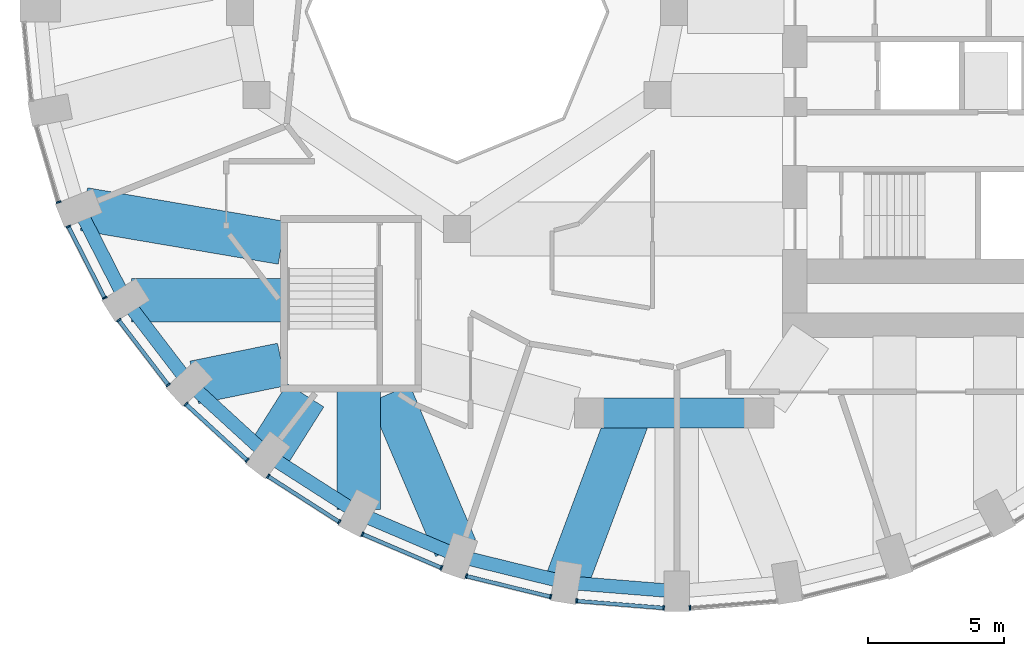
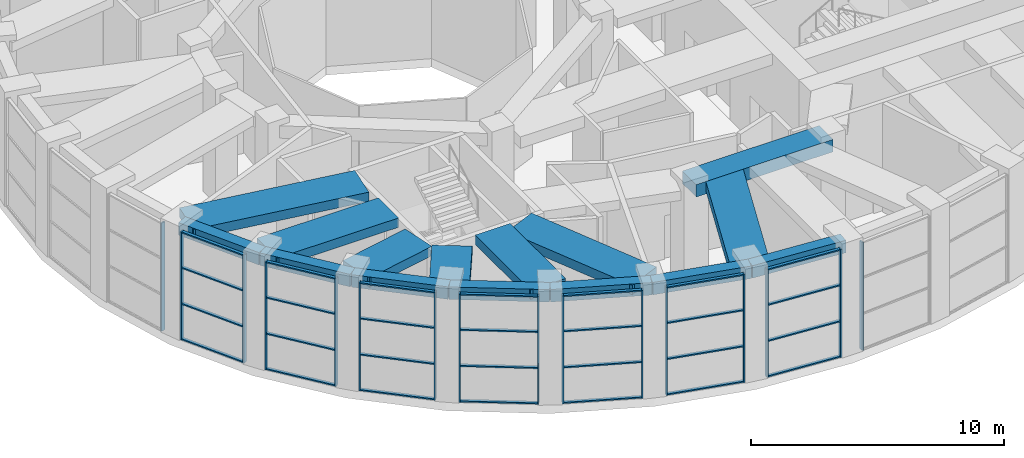
# One storey, part 2 of 17: 44 members, 15 beams, 9 elements without a shape of their own.
"""IFC4 building model written with IfcOpenShell, lengths in metres."""

from ifc_helpers import new_model, si_unit, direction, frame, origin, origin_2d, place, context, subcontext, project, spatial, rectangle, extrude, material, material_profile, profile_set, type_object, element, aggregate, save


model = new_model("IFC4")

# Units and contexts
model_context = context("Model", 3, precision=1e-05, world=origin(), true_north=direction((0.0, 1.0)))
body_context = subcontext(model_context, "Body", "Model", "MODEL_VIEW")
ifc_project = project(units=[si_unit("LENGTHUNIT", "METRE"), si_unit("AREAUNIT", "SQUARE_METRE"), si_unit("VOLUMEUNIT", "CUBIC_METRE"), si_unit("PLANEANGLEUNIT", "RADIAN"), si_unit("MASSUNIT", "GRAM", prefix="KILO")], contexts=[model_context])

# Site, building, storey
site_placement = place(None, origin())
site = spatial("IfcSite", under=ifc_project, at=site_placement, CompositionType="ELEMENT")
building_placement = place(site_placement, origin())
building = spatial("IfcBuilding", under=site, at=building_placement, Name="Taillehof Tower", CompositionType="ELEMENT")
storey_placement = place(building_placement, frame((0.0, 0.0, 139.60009765625)))
storey = spatial("IfcBuildingStorey", under=building, at=storey_placement, Name="L39", CompositionType="ELEMENT", Elevation=139.60009765625)

# Beams
ifc_material_1 = material(Name="Concrete C50/60", Category="concrete")
ifc_material_profile_1 = material_profile(ifc_material_1, rectangle(XDim=1.10009765625, YDim=0.60009765625, at=origin_2d()), Name="RC 1100x600")
ifc_profile_set_1 = profile_set([ifc_material_profile_1], Name="Concrete C50/60")
beam_type_1 = type_object("IfcBeamType", Name="Mid-ring beam C50/60 1100x600", PredefinedType="BEAM", material=ifc_profile_set_1)
beam_1_placement = place(storey_placement, frame((-3.125732421875, -14.772216796875, 4.919921875), z_axis=(1.0, 0.0, 0.0), x_axis=(0.0, 1.0, 0.0)))
element("IfcBeam", 1, at=beam_1_placement, inside=storey, type_object=beam_type_1, Name="Mid-ring beam MB02", PredefinedType="BEAM", context=body_context, shape_type="SweptSolid", body=[
    extrude(rectangle(XDim=1.10009765625, YDim=0.60009765625, at=origin_2d()), origin(), (0.0, 0.0, 1.0), 6.25146484375),
])
ifc_material_2 = material(Name="Concrete C50/60", Category="concrete")
ifc_material_profile_2 = material_profile(ifc_material_2, rectangle(XDim=1.60009765625, YDim=0.449951171875, at=origin_2d()), Name="RC 1600x450")
ifc_profile_set_2 = profile_set([ifc_material_profile_2], Name="Concrete C50/60")
beam_type_2 = type_object("IfcBeamType", Name="Radial band beam C50/60 1600x450", PredefinedType="BEAM", material=ifc_profile_set_2)
beam_2_placement = place(storey_placement, frame((-21.744140625, -7.268798828125, 4.994873046875), z_axis=(0.985864460395, -0.167544817079, 0.0), x_axis=(0.167544817079, 0.985864460395, 0.0)))
element("IfcBeam", 2, at=beam_2_placement, inside=storey, type_object=beam_type_2, Name="Radial band beam RB21", PredefinedType="BEAM", context=body_context, shape_type="SweptSolid", body=[
    extrude(rectangle(XDim=1.60009765625, YDim=0.449951171875, at=origin_2d()), origin(), (0.0, 0.0, 1.0), 7.39794921875),
])
beam_3_placement = place(storey_placement, frame((-19.9990234375, -10.625, 4.994873046875), z_axis=(1.0, 0.0, 0.0), x_axis=(0.0, 1.0, 0.0)))
element("IfcBeam", 3, at=beam_3_placement, inside=storey, type_object=beam_type_2, Name="Radial band beam RB22", PredefinedType="BEAM", context=body_context, shape_type="SweptSolid", body=[
    extrude(rectangle(XDim=1.60009765625, YDim=0.449951171875, at=origin_2d()), origin(), (0.0, 0.0, 1.0), 5.549072265625),
])
beam_4_placement = place(storey_placement, frame((-17.678955078125, -13.64990234375, 4.994873046875), z_axis=(0.979736748385, 0.200289550059, 0.0), x_axis=(-0.200289550059, 0.979736748385, 0.0)))
element("IfcBeam", 4, at=beam_4_placement, inside=storey, type_object=beam_type_2, Name="Radial band beam RB23", PredefinedType="BEAM", context=body_context, shape_type="SweptSolid", body=[
    extrude(rectangle(XDim=1.60009765625, YDim=0.449951171875, at=origin_2d()), origin(), (0.0, 0.0, 1.0), 3.294677734375),
])
beam_5_placement = place(storey_placement, frame((-14.973388671875, -16.33154296875, 4.994873046875), z_axis=(0.534207803896, 0.845353193794, 0.0), x_axis=(-0.845353193794, 0.534207803896, 0.0)))
element("IfcBeam", 5, at=beam_5_placement, inside=storey, type_object=beam_type_2, Name="Radial band beam RB24", PredefinedType="BEAM", context=body_context, shape_type="SweptSolid", body=[
    extrude(rectangle(XDim=1.60009765625, YDim=0.449951171875, at=origin_2d()), origin(), (0.0, 0.0, 1.0), 2.608154296875),
])
beam_6_placement = place(storey_placement, frame((-11.625, -18.33642578125, 4.994873046875), z_axis=(0.0, 1.0, 0.0), x_axis=(-1.0, 0.0, 0.0)))
element("IfcBeam", 6, at=beam_6_placement, inside=storey, type_object=beam_type_2, Name="Radial band beam RB25", PredefinedType="BEAM", context=body_context, shape_type="SweptSolid", body=[
    extrude(rectangle(XDim=1.60009765625, YDim=0.449951171875, at=origin_2d()), origin(), (0.0, 0.0, 1.0), 4.386474609375),
])
beam_7_placement = place(storey_placement, frame((-8.049072265625, -19.75390625, 4.994873046875), z_axis=(-0.391879389257, 0.9200166, 0.0), x_axis=(-0.9200166, -0.391879389257, 0.0)))
element("IfcBeam", 7, at=beam_7_placement, inside=storey, type_object=beam_type_2, Name="Radial band beam RB26", PredefinedType="BEAM", context=body_context, shape_type="SweptSolid", body=[
    extrude(rectangle(XDim=1.60009765625, YDim=0.449951171875, at=origin_2d()), origin(), (0.0, 0.0, 1.0), 6.18505859375),
])
beam_8_placement = place(storey_placement, frame((-3.97216796875, -21.024169921875, 4.994873046875), z_axis=(0.351379850477, 0.936232984186, 0.0), x_axis=(-0.936232984186, 0.351379850477, 0.0)))
element("IfcBeam", 8, at=beam_8_placement, inside=storey, type_object=beam_type_2, Name="Radial band beam RB27", PredefinedType="BEAM", context=body_context, shape_type="SweptSolid", body=[
    extrude(rectangle(XDim=1.60009765625, YDim=0.449951171875, at=origin_2d()), origin(), (0.0, 0.0, 1.0), 6.677734375),
])

# Curtain wall, member
ifc_material_3 = material(Name="Aluminium curtain wall with Clear low-emissivity double glazing", Category="aluminium")
curtain_wall_type = type_object("IfcCurtainWallType", Name="Sky lobby curtain wall", PredefinedType="USERDEFINED", material=ifc_material_3)
curtain_wall_1_placement = place(storey_placement, origin())
curtain_wall_1 = element("IfcCurtainWall", 9, at=curtain_wall_1_placement, inside=storey, type_object=curtain_wall_type, Name="Sky lobby L39 bay 20", ObjectType="WINDOW WALL", PredefinedType="USERDEFINED")
ifc_material_4 = material(Name="Aluminium mullion", Category="aluminium")
ifc_material_profile_3 = material_profile(ifc_material_4, rectangle(XDim=0.179931640625, YDim=0.06005859375, at=origin_2d()), Name="AL 60x180")
ifc_profile_set_3 = profile_set([ifc_material_profile_3], Name="Aluminium mullion")
member_type_1 = type_object("IfcMemberType", Name="Sky lobby mullion 60x180", PredefinedType="MULLION", material=ifc_profile_set_3)
member_1_placement = place(storey_placement, frame((-22.676513671875, -7.008544921875, 0.0), z_axis=(0.0, 0.0, 1.0), x_axis=(0.959684454665, 0.281079610563, 0.0)))
member_1 = element("IfcMember", 10, at=member_1_placement, type_object=member_type_1, Name="CT3C20 mullion 2", PredefinedType="MULLION", context=body_context, shape_type="SweptSolid", body=[
    extrude(rectangle(XDim=0.179931640625, YDim=0.06005859375, at=origin_2d()), origin(), (0.0, 0.0, 1.0), 5.219970703125),
])
aggregate(curtain_wall_1, [member_1])

# Curtain wall, members
curtain_wall_2_placement = place(storey_placement, origin())
curtain_wall_2 = element("IfcCurtainWall", 11, at=curtain_wall_2_placement, inside=storey, type_object=curtain_wall_type, Name="Sky lobby L39 bay 21", ObjectType="WINDOW WALL", PredefinedType="USERDEFINED")
member_2_placement = place(storey_placement, frame((-22.318359375, -7.909912109375, 0.0), z_axis=(0.0, 0.0, 1.0), x_axis=(0.890939920431, 0.454121193276, 0.0)))
member_2 = element("IfcMember", 12, at=member_2_placement, type_object=member_type_1, Name="CT3C21 mullion 1", PredefinedType="MULLION", context=body_context, shape_type="SweptSolid", body=[
    extrude(rectangle(XDim=0.179931640625, YDim=0.06005859375, at=origin_2d()), origin(), (0.0, 0.0, 1.0), 5.219970703125),
])
member_3_placement = place(storey_placement, frame((-20.979248046875, -10.537109375, 0.0), z_axis=(0.0, 0.0, 1.0), x_axis=(0.890939920431, 0.454121193276, 0.0)))
member_3 = element("IfcMember", 13, at=member_3_placement, type_object=member_type_1, Name="CT3C21 mullion 2", PredefinedType="MULLION", context=body_context, shape_type="SweptSolid", body=[
    extrude(rectangle(XDim=0.179931640625, YDim=0.06005859375, at=origin_2d()), origin(), (0.0, 0.0, 1.0), 5.219970703125),
])

curtain_wall_3_placement = place(storey_placement, origin())
curtain_wall_3 = element("IfcCurtainWall", 14, at=curtain_wall_3_placement, inside=storey, type_object=curtain_wall_type, Name="Sky lobby L39 bay 22", ObjectType="WINDOW WALL", PredefinedType="USERDEFINED")
member_4_placement = place(storey_placement, frame((-20.462158203125, -11.357666015625, 0.0), z_axis=(0.0, 0.0, 1.0), x_axis=(0.794097111323, 0.607790899725, 0.0)))
member_4 = element("IfcMember", 15, at=member_4_placement, type_object=member_type_1, Name="CT3C22 mullion 1", PredefinedType="MULLION", context=body_context, shape_type="SweptSolid", body=[
    extrude(rectangle(XDim=0.179931640625, YDim=0.06005859375, at=origin_2d()), origin(), (0.0, 0.0, 1.0), 5.219970703125),
])
member_5_placement = place(storey_placement, frame((-18.638916015625, -13.73974609375, 0.0), z_axis=(0.0, 0.0, 1.0), x_axis=(0.794097111323, 0.607790899725, 0.0)))
member_5 = element("IfcMember", 16, at=member_5_placement, type_object=member_type_1, Name="CT3C22 mullion 2", PredefinedType="MULLION", context=body_context, shape_type="SweptSolid", body=[
    extrude(rectangle(XDim=0.179931640625, YDim=0.06005859375, at=origin_2d()), origin(), (0.0, 0.0, 1.0), 5.219970703125),
])

curtain_wall_4_placement = place(storey_placement, origin())
curtain_wall_4 = element("IfcCurtainWall", 17, at=curtain_wall_4_placement, inside=storey, type_object=curtain_wall_type, Name="Sky lobby L39 bay 23", ObjectType="WINDOW WALL", PredefinedType="USERDEFINED")
member_6_placement = place(storey_placement, frame((-17.98388671875, -14.454833984375, 0.0), z_axis=(0.0, 0.0, 1.0), x_axis=(0.674990165311, 0.737826725413, 0.0)))
member_6 = element("IfcMember", 18, at=member_6_placement, type_object=member_type_1, Name="CT3C23 mullion 1", PredefinedType="MULLION", context=body_context, shape_type="SweptSolid", body=[
    extrude(rectangle(XDim=0.179931640625, YDim=0.06005859375, at=origin_2d()), origin(), (0.0, 0.0, 1.0), 5.219970703125),
])
member_7_placement = place(storey_placement, frame((-15.728759765625, -16.517822265625, 0.0), z_axis=(0.0, 0.0, 1.0), x_axis=(0.674990165311, 0.737826725413, 0.0)))
member_7 = element("IfcMember", 19, at=member_7_placement, type_object=member_type_1, Name="CT3C23 mullion 2", PredefinedType="MULLION", context=body_context, shape_type="SweptSolid", body=[
    extrude(rectangle(XDim=0.179931640625, YDim=0.06005859375, at=origin_2d()), origin(), (0.0, 0.0, 1.0), 5.219970703125),
])

curtain_wall_5_placement = place(storey_placement, origin())
curtain_wall_5 = element("IfcCurtainWall", 20, at=curtain_wall_5_placement, inside=storey, type_object=curtain_wall_type, Name="Sky lobby L39 bay 24", ObjectType="WINDOW WALL", PredefinedType="USERDEFINED")
member_8_placement = place(storey_placement, frame((-14.959716796875, -17.10888671875, 0.0), z_axis=(0.0, 0.0, 1.0), x_axis=(0.539394467052, 0.842053210263, 0.0)))
member_8 = element("IfcMember", 21, at=member_8_placement, type_object=member_type_1, Name="CT3C24 mullion 1", PredefinedType="MULLION", context=body_context, shape_type="SweptSolid", body=[
    extrude(rectangle(XDim=0.179931640625, YDim=0.06005859375, at=origin_2d()), origin(), (0.0, 0.0, 1.0), 5.219970703125),
])
member_9_placement = place(storey_placement, frame((-12.3388671875, -18.787841796875, 0.0), z_axis=(0.0, 0.0, 1.0), x_axis=(0.539394467052, 0.842053210263, 0.0)))
member_9 = element("IfcMember", 22, at=member_9_placement, type_object=member_type_1, Name="CT3C24 mullion 2", PredefinedType="MULLION", context=body_context, shape_type="SweptSolid", body=[
    extrude(rectangle(XDim=0.179931640625, YDim=0.06005859375, at=origin_2d()), origin(), (0.0, 0.0, 1.0), 5.219970703125),
])

curtain_wall_6_placement = place(storey_placement, origin())
curtain_wall_6 = element("IfcCurtainWall", 23, at=curtain_wall_6_placement, inside=storey, type_object=curtain_wall_type, Name="Sky lobby L39 bay 25", ObjectType="WINDOW WALL", PredefinedType="USERDEFINED")
member_10_placement = place(storey_placement, frame((-11.4814453125, -19.2412109375, 0.0), z_axis=(0.0, 0.0, 1.0), x_axis=(0.392378786783, 0.919803722368, 0.0)))
member_10 = element("IfcMember", 24, at=member_10_placement, type_object=member_type_1, Name="CT3C25 mullion 1", PredefinedType="MULLION", context=body_context, shape_type="SweptSolid", body=[
    extrude(rectangle(XDim=0.179931640625, YDim=0.06005859375, at=origin_2d()), origin(), (0.0, 0.0, 1.0), 5.219970703125),
])
member_11_placement = place(storey_placement, frame((-8.57373046875, -20.481689453125, 0.0), z_axis=(0.0, 0.0, 1.0), x_axis=(0.392378786783, 0.919803722368, 0.0)))
member_11 = element("IfcMember", 25, at=member_11_placement, type_object=member_type_1, Name="CT3C25 mullion 2", PredefinedType="MULLION", context=body_context, shape_type="SweptSolid", body=[
    extrude(rectangle(XDim=0.179931640625, YDim=0.06005859375, at=origin_2d()), origin(), (0.0, 0.0, 1.0), 5.219970703125),
])

curtain_wall_7_placement = place(storey_placement, origin())
curtain_wall_7 = element("IfcCurtainWall", 26, at=curtain_wall_7_placement, inside=storey, type_object=curtain_wall_type, Name="Sky lobby L39 bay 26", ObjectType="WINDOW WALL", PredefinedType="USERDEFINED")
member_12_placement = place(storey_placement, frame((-7.653564453125, -20.78857421875, 0.0), z_axis=(0.0, 0.0, 1.0), x_axis=(0.238077279402, 0.971246214424, 0.0)))
member_12 = element("IfcMember", 27, at=member_12_placement, type_object=member_type_1, Name="CT3C26 mullion 1", PredefinedType="MULLION", context=body_context, shape_type="SweptSolid", body=[
    extrude(rectangle(XDim=0.179931640625, YDim=0.06005859375, at=origin_2d()), origin(), (0.0, 0.0, 1.0), 5.219970703125),
])
member_13_placement = place(storey_placement, frame((-4.54833984375, -21.549560546875, 0.0), z_axis=(0.0, 0.0, 1.0), x_axis=(0.238077279402, 0.971246214424, 0.0)))
member_13 = element("IfcMember", 28, at=member_13_placement, type_object=member_type_1, Name="CT3C26 mullion 2", PredefinedType="MULLION", context=body_context, shape_type="SweptSolid", body=[
    extrude(rectangle(XDim=0.179931640625, YDim=0.06005859375, at=origin_2d()), origin(), (0.0, 0.0, 1.0), 5.219970703125),
])

curtain_wall_8_placement = place(storey_placement, origin())
curtain_wall_8 = element("IfcCurtainWall", 29, at=curtain_wall_8_placement, inside=storey, type_object=curtain_wall_type, Name="Sky lobby L39 bay 27", ObjectType="WINDOW WALL", PredefinedType="USERDEFINED")
member_14_placement = place(storey_placement, frame((-3.5908203125, -21.704345703125, 0.0), z_axis=(0.0, 0.0, 1.0), x_axis=(0.079781193509, 0.996812400185, 0.0)))
member_14 = element("IfcMember", 30, at=member_14_placement, type_object=member_type_1, Name="CT3C27 mullion 1", PredefinedType="MULLION", context=body_context, shape_type="SweptSolid", body=[
    extrude(rectangle(XDim=0.179931640625, YDim=0.06005859375, at=origin_2d()), origin(), (0.0, 0.0, 1.0), 5.219970703125),
])
member_15_placement = place(storey_placement, frame((-0.385009765625, -21.9609375, 0.0), z_axis=(0.0, 0.0, 1.0), x_axis=(0.079781193509, 0.996812400185, 0.0)))
member_15 = element("IfcMember", 31, at=member_15_placement, type_object=member_type_1, Name="CT3C27 mullion 2", PredefinedType="MULLION", context=body_context, shape_type="SweptSolid", body=[
    extrude(rectangle(XDim=0.179931640625, YDim=0.06005859375, at=origin_2d()), origin(), (0.0, 0.0, 1.0), 5.219970703125),
])

# Curtain wall, member
curtain_wall_9_placement = place(storey_placement, origin())
curtain_wall_9 = element("IfcCurtainWall", 32, at=curtain_wall_9_placement, inside=storey, type_object=curtain_wall_type, Name="Sky lobby L39 bay 28", ObjectType="WINDOW WALL", PredefinedType="USERDEFINED")
member_16_placement = place(storey_placement, frame((0.5849609375, -21.9609375, 0.0), z_axis=(0.0, 0.0, 1.0), x_axis=(-0.079781193509, 0.996812400185, 0.0)))
member_16 = element("IfcMember", 33, at=member_16_placement, type_object=member_type_1, Name="CT3C28 mullion 1", PredefinedType="MULLION", context=body_context, shape_type="SweptSolid", body=[
    extrude(rectangle(XDim=0.179931640625, YDim=0.06005859375, at=origin_2d()), origin(), (0.0, 0.0, 1.0), 5.219970703125),
])
aggregate(curtain_wall_9, [member_16])

# Member
ifc_material_5 = material(Name="Aluminium transom", Category="aluminium")
ifc_material_profile_4 = material_profile(ifc_material_5, rectangle(XDim=0.139892578125, YDim=0.06005859375, at=origin_2d()), Name="AL 140x60")
ifc_profile_set_4 = profile_set([ifc_material_profile_4], Name="Aluminium transom")
member_type_2 = type_object("IfcMemberType", Name="Sky lobby transom 140x60", PredefinedType="USERDEFINED", material=ifc_profile_set_4)
member_17_placement = place(storey_placement, frame((-22.3046875, -7.9365234375, 0.02978515625), z_axis=(0.454062498764, -0.890969835189, 0.0), x_axis=(0.890969835189, 0.454062498764, 0.0)))
member_17 = element("IfcMember", 34, at=member_17_placement, type_object=member_type_2, Name="CT3C21 transom 1.1", ObjectType="TRANSOM", PredefinedType="USERDEFINED", context=body_context, shape_type="SweptSolid", body=[
    extrude(rectangle(XDim=0.139892578125, YDim=0.06005859375, at=origin_2d()), origin(), (0.0, 0.0, 1.0), 2.888916015625),
])

member_18_placement = place(storey_placement, frame((-22.3046875, -7.9365234375, 1.739990234375), z_axis=(0.454062498764, -0.890969835189, 0.0), x_axis=(0.890969835189, 0.454062498764, 0.0)))
member_18 = element("IfcMember", 35, at=member_18_placement, type_object=member_type_2, Name="CT3C21 transom 1.2", ObjectType="TRANSOM", PredefinedType="USERDEFINED", context=body_context, shape_type="SweptSolid", body=[
    extrude(rectangle(XDim=0.139892578125, YDim=0.06005859375, at=origin_2d()), origin(), (0.0, 0.0, 1.0), 2.888916015625),
])

member_19_placement = place(storey_placement, frame((-22.3046875, -7.9365234375, 3.47998046875), z_axis=(0.454062498764, -0.890969835189, 0.0), x_axis=(0.890969835189, 0.454062498764, 0.0)))
member_19 = element("IfcMember", 36, at=member_19_placement, type_object=member_type_2, Name="CT3C21 transom 1.3", ObjectType="TRANSOM", PredefinedType="USERDEFINED", context=body_context, shape_type="SweptSolid", body=[
    extrude(rectangle(XDim=0.139892578125, YDim=0.06005859375, at=origin_2d()), origin(), (0.0, 0.0, 1.0), 2.888916015625),
])

member_20_placement = place(storey_placement, frame((-22.3046875, -7.9365234375, 5.18994140625), z_axis=(0.454062498764, -0.890969835189, 0.0), x_axis=(0.890969835189, 0.454062498764, 0.0)))
member_20 = element("IfcMember", 37, at=member_20_placement, type_object=member_type_2, Name="CT3C21 transom 1.4", ObjectType="TRANSOM", PredefinedType="USERDEFINED", context=body_context, shape_type="SweptSolid", body=[
    extrude(rectangle(XDim=0.139892578125, YDim=0.06005859375, at=origin_2d()), origin(), (0.0, 0.0, 1.0), 2.888916015625),
])

aggregate(curtain_wall_2, [member_2, member_3, member_17, member_18, member_19, member_20])

member_21_placement = place(storey_placement, frame((-20.44384765625, -11.381591796875, 0.02978515625), z_axis=(0.607798409767, -0.794091363185, 0.0), x_axis=(0.794091363185, 0.607798409767, 0.0)))
member_21 = element("IfcMember", 38, at=member_21_placement, type_object=member_type_2, Name="CT3C22 transom 1.1", ObjectType="TRANSOM", PredefinedType="USERDEFINED", context=body_context, shape_type="SweptSolid", body=[
    extrude(rectangle(XDim=0.139892578125, YDim=0.06005859375, at=origin_2d()), origin(), (0.0, 0.0, 1.0), 2.939453125),
])

member_22_placement = place(storey_placement, frame((-20.44384765625, -11.381591796875, 1.739990234375), z_axis=(0.607798409767, -0.794091363185, 0.0), x_axis=(0.794091363185, 0.607798409767, 0.0)))
member_22 = element("IfcMember", 39, at=member_22_placement, type_object=member_type_2, Name="CT3C22 transom 1.2", ObjectType="TRANSOM", PredefinedType="USERDEFINED", context=body_context, shape_type="SweptSolid", body=[
    extrude(rectangle(XDim=0.139892578125, YDim=0.06005859375, at=origin_2d()), origin(), (0.0, 0.0, 1.0), 2.939453125),
])

member_23_placement = place(storey_placement, frame((-20.44384765625, -11.381591796875, 3.47998046875), z_axis=(0.607798409767, -0.794091363185, 0.0), x_axis=(0.794091363185, 0.607798409767, 0.0)))
member_23 = element("IfcMember", 40, at=member_23_placement, type_object=member_type_2, Name="CT3C22 transom 1.3", ObjectType="TRANSOM", PredefinedType="USERDEFINED", context=body_context, shape_type="SweptSolid", body=[
    extrude(rectangle(XDim=0.139892578125, YDim=0.06005859375, at=origin_2d()), origin(), (0.0, 0.0, 1.0), 2.939453125),
])

member_24_placement = place(storey_placement, frame((-20.44384765625, -11.381591796875, 5.18994140625), z_axis=(0.607798409767, -0.794091363185, 0.0), x_axis=(0.794091363185, 0.607798409767, 0.0)))
member_24 = element("IfcMember", 41, at=member_24_placement, type_object=member_type_2, Name="CT3C22 transom 1.4", ObjectType="TRANSOM", PredefinedType="USERDEFINED", context=body_context, shape_type="SweptSolid", body=[
    extrude(rectangle(XDim=0.139892578125, YDim=0.06005859375, at=origin_2d()), origin(), (0.0, 0.0, 1.0), 2.939453125),
])

aggregate(curtain_wall_3, [member_4, member_5, member_21, member_22, member_23, member_24])

member_25_placement = place(storey_placement, frame((-17.961669921875, -14.47509765625, 0.02978515625), z_axis=(0.737820089873, -0.674997418499, 0.0), x_axis=(0.674997418499, 0.737820089873, 0.0)))
member_25 = element("IfcMember", 42, at=member_25_placement, type_object=member_type_2, Name="CT3C23 transom 1.1", ObjectType="TRANSOM", PredefinedType="USERDEFINED", context=body_context, shape_type="SweptSolid", body=[
    extrude(rectangle(XDim=0.139892578125, YDim=0.06005859375, at=origin_2d()), origin(), (0.0, 0.0, 1.0), 2.996337890625),
])

member_26_placement = place(storey_placement, frame((-17.961669921875, -14.47509765625, 1.739990234375), z_axis=(0.737820089873, -0.674997418499, 0.0), x_axis=(0.674997418499, 0.737820089873, 0.0)))
member_26 = element("IfcMember", 43, at=member_26_placement, type_object=member_type_2, Name="CT3C23 transom 1.2", ObjectType="TRANSOM", PredefinedType="USERDEFINED", context=body_context, shape_type="SweptSolid", body=[
    extrude(rectangle(XDim=0.139892578125, YDim=0.06005859375, at=origin_2d()), origin(), (0.0, 0.0, 1.0), 2.996337890625),
])

member_27_placement = place(storey_placement, frame((-17.961669921875, -14.47509765625, 3.47998046875), z_axis=(0.737820089873, -0.674997418499, 0.0), x_axis=(0.674997418499, 0.737820089873, 0.0)))
member_27 = element("IfcMember", 44, at=member_27_placement, type_object=member_type_2, Name="CT3C23 transom 1.3", ObjectType="TRANSOM", PredefinedType="USERDEFINED", context=body_context, shape_type="SweptSolid", body=[
    extrude(rectangle(XDim=0.139892578125, YDim=0.06005859375, at=origin_2d()), origin(), (0.0, 0.0, 1.0), 2.996337890625),
])

member_28_placement = place(storey_placement, frame((-17.961669921875, -14.47509765625, 5.18994140625), z_axis=(0.737820089873, -0.674997418499, 0.0), x_axis=(0.674997418499, 0.737820089873, 0.0)))
member_28 = element("IfcMember", 45, at=member_28_placement, type_object=member_type_2, Name="CT3C23 transom 1.4", ObjectType="TRANSOM", PredefinedType="USERDEFINED", context=body_context, shape_type="SweptSolid", body=[
    extrude(rectangle(XDim=0.139892578125, YDim=0.06005859375, at=origin_2d()), origin(), (0.0, 0.0, 1.0), 2.996337890625),
])

aggregate(curtain_wall_4, [member_6, member_7, member_25, member_26, member_27, member_28])

member_29_placement = place(storey_placement, frame((-14.9345703125, -17.125244140625, 0.02978515625), z_axis=(0.842073808218, -0.53936231006, 0.0), x_axis=(0.53936231006, 0.842073808218, 0.0)))
member_29 = element("IfcMember", 46, at=member_29_placement, type_object=member_type_2, Name="CT3C24 transom 1.1", ObjectType="TRANSOM", PredefinedType="USERDEFINED", context=body_context, shape_type="SweptSolid", body=[
    extrude(rectangle(XDim=0.139892578125, YDim=0.06005859375, at=origin_2d()), origin(), (0.0, 0.0, 1.0), 3.052734375),
])

member_30_placement = place(storey_placement, frame((-14.9345703125, -17.125244140625, 1.739990234375), z_axis=(0.842073808218, -0.53936231006, 0.0), x_axis=(0.53936231006, 0.842073808218, 0.0)))
member_30 = element("IfcMember", 47, at=member_30_placement, type_object=member_type_2, Name="CT3C24 transom 1.2", ObjectType="TRANSOM", PredefinedType="USERDEFINED", context=body_context, shape_type="SweptSolid", body=[
    extrude(rectangle(XDim=0.139892578125, YDim=0.06005859375, at=origin_2d()), origin(), (0.0, 0.0, 1.0), 3.052734375),
])

member_31_placement = place(storey_placement, frame((-14.9345703125, -17.125244140625, 3.47998046875), z_axis=(0.842073808218, -0.53936231006, 0.0), x_axis=(0.53936231006, 0.842073808218, 0.0)))
member_31 = element("IfcMember", 48, at=member_31_placement, type_object=member_type_2, Name="CT3C24 transom 1.3", ObjectType="TRANSOM", PredefinedType="USERDEFINED", context=body_context, shape_type="SweptSolid", body=[
    extrude(rectangle(XDim=0.139892578125, YDim=0.06005859375, at=origin_2d()), origin(), (0.0, 0.0, 1.0), 3.052734375),
])

member_32_placement = place(storey_placement, frame((-14.9345703125, -17.125244140625, 5.18994140625), z_axis=(0.842073808218, -0.53936231006, 0.0), x_axis=(0.53936231006, 0.842073808218, 0.0)))
member_32 = element("IfcMember", 49, at=member_32_placement, type_object=member_type_2, Name="CT3C24 transom 1.4", ObjectType="TRANSOM", PredefinedType="USERDEFINED", context=body_context, shape_type="SweptSolid", body=[
    extrude(rectangle(XDim=0.139892578125, YDim=0.06005859375, at=origin_2d()), origin(), (0.0, 0.0, 1.0), 3.052734375),
])

aggregate(curtain_wall_5, [member_8, member_9, member_29, member_30, member_31, member_32])

member_33_placement = place(storey_placement, frame((-11.453857421875, -19.253173828125, 0.02978515625), z_axis=(0.919811506144, -0.392360539766, 0.0), x_axis=(0.392360539766, 0.919811506144, 0.0)))
member_33 = element("IfcMember", 50, at=member_33_placement, type_object=member_type_2, Name="CT3C25 transom 1.1", ObjectType="TRANSOM", PredefinedType="USERDEFINED", context=body_context, shape_type="SweptSolid", body=[
    extrude(rectangle(XDim=0.139892578125, YDim=0.06005859375, at=origin_2d()), origin(), (0.0, 0.0, 1.0), 3.101318359375),
])

member_34_placement = place(storey_placement, frame((-11.453857421875, -19.253173828125, 1.739990234375), z_axis=(0.919811506144, -0.392360539766, 0.0), x_axis=(0.392360539766, 0.919811506144, 0.0)))
member_34 = element("IfcMember", 51, at=member_34_placement, type_object=member_type_2, Name="CT3C25 transom 1.2", ObjectType="TRANSOM", PredefinedType="USERDEFINED", context=body_context, shape_type="SweptSolid", body=[
    extrude(rectangle(XDim=0.139892578125, YDim=0.06005859375, at=origin_2d()), origin(), (0.0, 0.0, 1.0), 3.101318359375),
])

member_35_placement = place(storey_placement, frame((-11.453857421875, -19.253173828125, 3.47998046875), z_axis=(0.919811506144, -0.392360539766, 0.0), x_axis=(0.392360539766, 0.919811506144, 0.0)))
member_35 = element("IfcMember", 52, at=member_35_placement, type_object=member_type_2, Name="CT3C25 transom 1.3", ObjectType="TRANSOM", PredefinedType="USERDEFINED", context=body_context, shape_type="SweptSolid", body=[
    extrude(rectangle(XDim=0.139892578125, YDim=0.06005859375, at=origin_2d()), origin(), (0.0, 0.0, 1.0), 3.101318359375),
])

member_36_placement = place(storey_placement, frame((-11.453857421875, -19.253173828125, 5.18994140625), z_axis=(0.919811506144, -0.392360539766, 0.0), x_axis=(0.392360539766, 0.919811506144, 0.0)))
member_36 = element("IfcMember", 53, at=member_36_placement, type_object=member_type_2, Name="CT3C25 transom 1.4", ObjectType="TRANSOM", PredefinedType="USERDEFINED", context=body_context, shape_type="SweptSolid", body=[
    extrude(rectangle(XDim=0.139892578125, YDim=0.06005859375, at=origin_2d()), origin(), (0.0, 0.0, 1.0), 3.101318359375),
])

aggregate(curtain_wall_6, [member_10, member_11, member_33, member_34, member_35, member_36])

member_37_placement = place(storey_placement, frame((-7.624267578125, -20.795654296875, 0.02978515625), z_axis=(0.971249221053, -0.238065013398, 0.0), x_axis=(0.238065013398, 0.971249221053, 0.0)))
member_37 = element("IfcMember", 54, at=member_37_placement, type_object=member_type_2, Name="CT3C26 transom 1.1", ObjectType="TRANSOM", PredefinedType="USERDEFINED", context=body_context, shape_type="SweptSolid", body=[
    extrude(rectangle(XDim=0.139892578125, YDim=0.06005859375, at=origin_2d()), origin(), (0.0, 0.0, 1.0), 3.136962890625),
])

member_38_placement = place(storey_placement, frame((-7.624267578125, -20.795654296875, 1.739990234375), z_axis=(0.971249221053, -0.238065013398, 0.0), x_axis=(0.238065013398, 0.971249221053, 0.0)))
member_38 = element("IfcMember", 55, at=member_38_placement, type_object=member_type_2, Name="CT3C26 transom 1.2", ObjectType="TRANSOM", PredefinedType="USERDEFINED", context=body_context, shape_type="SweptSolid", body=[
    extrude(rectangle(XDim=0.139892578125, YDim=0.06005859375, at=origin_2d()), origin(), (0.0, 0.0, 1.0), 3.136962890625),
])

member_39_placement = place(storey_placement, frame((-7.624267578125, -20.795654296875, 3.47998046875), z_axis=(0.971249221053, -0.238065013398, 0.0), x_axis=(0.238065013398, 0.971249221053, 0.0)))
member_39 = element("IfcMember", 56, at=member_39_placement, type_object=member_type_2, Name="CT3C26 transom 1.3", ObjectType="TRANSOM", PredefinedType="USERDEFINED", context=body_context, shape_type="SweptSolid", body=[
    extrude(rectangle(XDim=0.139892578125, YDim=0.06005859375, at=origin_2d()), origin(), (0.0, 0.0, 1.0), 3.136962890625),
])

member_40_placement = place(storey_placement, frame((-7.624267578125, -20.795654296875, 5.18994140625), z_axis=(0.971249221053, -0.238065013398, 0.0), x_axis=(0.238065013398, 0.971249221053, 0.0)))
member_40 = element("IfcMember", 57, at=member_40_placement, type_object=member_type_2, Name="CT3C26 transom 1.4", ObjectType="TRANSOM", PredefinedType="USERDEFINED", context=body_context, shape_type="SweptSolid", body=[
    extrude(rectangle(XDim=0.139892578125, YDim=0.06005859375, at=origin_2d()), origin(), (0.0, 0.0, 1.0), 3.136962890625),
])

aggregate(curtain_wall_7, [member_12, member_13, member_37, member_38, member_39, member_40])

member_41_placement = place(storey_placement, frame((-3.560791015625, -21.706787109375, 0.02978515625), z_axis=(0.996814540595, -0.079754446015, 0.0), x_axis=(0.079754446015, 0.996814540595, 0.0)))
member_41 = element("IfcMember", 58, at=member_41_placement, type_object=member_type_2, Name="CT3C27 transom 1.1", ObjectType="TRANSOM", PredefinedType="USERDEFINED", context=body_context, shape_type="SweptSolid", body=[
    extrude(rectangle(XDim=0.139892578125, YDim=0.06005859375, at=origin_2d()), origin(), (0.0, 0.0, 1.0), 3.156005859375),
])

member_42_placement = place(storey_placement, frame((-3.560791015625, -21.706787109375, 1.739990234375), z_axis=(0.996814540595, -0.079754446015, 0.0), x_axis=(0.079754446015, 0.996814540595, 0.0)))
member_42 = element("IfcMember", 59, at=member_42_placement, type_object=member_type_2, Name="CT3C27 transom 1.2", ObjectType="TRANSOM", PredefinedType="USERDEFINED", context=body_context, shape_type="SweptSolid", body=[
    extrude(rectangle(XDim=0.139892578125, YDim=0.06005859375, at=origin_2d()), origin(), (0.0, 0.0, 1.0), 3.156005859375),
])

member_43_placement = place(storey_placement, frame((-3.560791015625, -21.706787109375, 3.47998046875), z_axis=(0.996814540595, -0.079754446015, 0.0), x_axis=(0.079754446015, 0.996814540595, 0.0)))
member_43 = element("IfcMember", 60, at=member_43_placement, type_object=member_type_2, Name="CT3C27 transom 1.3", ObjectType="TRANSOM", PredefinedType="USERDEFINED", context=body_context, shape_type="SweptSolid", body=[
    extrude(rectangle(XDim=0.139892578125, YDim=0.06005859375, at=origin_2d()), origin(), (0.0, 0.0, 1.0), 3.156005859375),
])

member_44_placement = place(storey_placement, frame((-3.560791015625, -21.706787109375, 5.18994140625), z_axis=(0.996814540595, -0.079754446015, 0.0), x_axis=(0.079754446015, 0.996814540595, 0.0)))
member_44 = element("IfcMember", 61, at=member_44_placement, type_object=member_type_2, Name="CT3C27 transom 1.4", ObjectType="TRANSOM", PredefinedType="USERDEFINED", context=body_context, shape_type="SweptSolid", body=[
    extrude(rectangle(XDim=0.139892578125, YDim=0.06005859375, at=origin_2d()), origin(), (0.0, 0.0, 1.0), 3.156005859375),
])

aggregate(curtain_wall_8, [member_14, member_15, member_41, member_42, member_43, member_44])

# Beams
ifc_material_6 = material(Name="Concrete C50/60", Category="concrete")
ifc_material_profile_5 = material_profile(ifc_material_6, rectangle(XDim=0.5, YDim=0.60009765625, at=origin_2d()), Name="RC 500x600")
ifc_profile_set_5 = profile_set([ifc_material_profile_5], Name="Concrete C50/60")
beam_type_3 = type_object("IfcBeamType", Name="Spandrel beam C50/60 500x600", PredefinedType="SPANDREL", material=ifc_profile_set_5)
beam_9_placement = place(storey_placement, frame((-21.935791015625, -7.236328125, 4.919921875), z_axis=(0.454183451696, -0.890908183937, 0.0), x_axis=(0.890908183937, 0.454183451696, 0.0)))
element("IfcBeam", 62, at=beam_9_placement, inside=storey, type_object=beam_type_3, Name="Spandrel beam SB21", PredefinedType="SPANDREL", context=body_context, shape_type="SweptSolid", body=[
    extrude(rectangle(XDim=0.5, YDim=0.60009765625, at=origin_2d()), origin(), (0.0, 0.0, 1.0), 3.8037109375),
])
beam_10_placement = place(storey_placement, frame((-20.208251953125, -10.625, 4.919921875), z_axis=(0.60784004271, -0.794059495553, 0.0), x_axis=(0.794059495553, 0.60784004271, 0.0)))
element("IfcBeam", 63, at=beam_10_placement, inside=storey, type_object=beam_type_3, Name="Spandrel beam SB22", PredefinedType="SPANDREL", context=body_context, shape_type="SweptSolid", body=[
    extrude(rectangle(XDim=0.5, YDim=0.60009765625, at=origin_2d()), origin(), (0.0, 0.0, 1.0), 3.857177734375),
])
beam_11_placement = place(storey_placement, frame((-17.86376953125, -13.687744140625, 4.919921875), z_axis=(0.737880696592, -0.674931165081, 0.0), x_axis=(0.674931165081, 0.737880696592, 0.0)))
element("IfcBeam", 64, at=beam_11_placement, inside=storey, type_object=beam_type_3, Name="Spandrel beam SB23", PredefinedType="SPANDREL", context=body_context, shape_type="SweptSolid", body=[
    extrude(rectangle(XDim=0.5, YDim=0.60009765625, at=origin_2d()), origin(), (0.0, 0.0, 1.0), 3.917236328125),
])
beam_12_placement = place(storey_placement, frame((-14.973388671875, -16.33154296875, 4.919921875), z_axis=(0.842065054946, -0.539375975771, 0.0), x_axis=(0.539375975771, 0.842065054946, 0.0)))
element("IfcBeam", 65, at=beam_12_placement, inside=storey, type_object=beam_type_3, Name="Spandrel beam SB24", PredefinedType="SPANDREL", context=body_context, shape_type="SweptSolid", body=[
    extrude(rectangle(XDim=0.5, YDim=0.60009765625, at=origin_2d()), origin(), (0.0, 0.0, 1.0), 3.976318359375),
])
beam_13_placement = place(storey_placement, frame((-11.625, -18.476318359375, 4.919921875), z_axis=(0.919827173659, -0.392323808351, 0.0), x_axis=(0.392323808351, 0.919827173659, 0.0)))
element("IfcBeam", 66, at=beam_13_placement, inside=storey, type_object=beam_type_3, Name="Spandrel beam SB25", PredefinedType="SPANDREL", context=body_context, shape_type="SweptSolid", body=[
    extrude(rectangle(XDim=0.5, YDim=0.60009765625, at=origin_2d()), origin(), (0.0, 0.0, 1.0), 4.027587890625),
])
beam_14_placement = place(storey_placement, frame((-7.92041015625, -20.056396484375, 4.919921875), z_axis=(0.971248584585, -0.238067610023, 0.0), x_axis=(0.238067610023, 0.971248584585, 0.0)))
element("IfcBeam", 67, at=beam_14_placement, inside=storey, type_object=beam_type_3, Name="Spandrel beam SB26", PredefinedType="SPANDREL", context=body_context, shape_type="SweptSolid", body=[
    extrude(rectangle(XDim=0.5, YDim=0.60009765625, at=origin_2d()), origin(), (0.0, 0.0, 1.0), 4.065185546875),
])
beam_15_placement = place(storey_placement, frame((-3.97216796875, -21.024169921875, 4.919921875), z_axis=(0.996812427616, -0.079780850771, 0.0), x_axis=(0.079780850771, 0.996812427616, 0.0)))
element("IfcBeam", 68, at=beam_15_placement, inside=storey, type_object=beam_type_3, Name="Spandrel beam SB27", PredefinedType="SPANDREL", context=body_context, shape_type="SweptSolid", body=[
    extrude(rectangle(XDim=0.5, YDim=0.60009765625, at=origin_2d()), origin(), (0.0, 0.0, 1.0), 4.085205078125),
])

save(model, "model.ifc")
